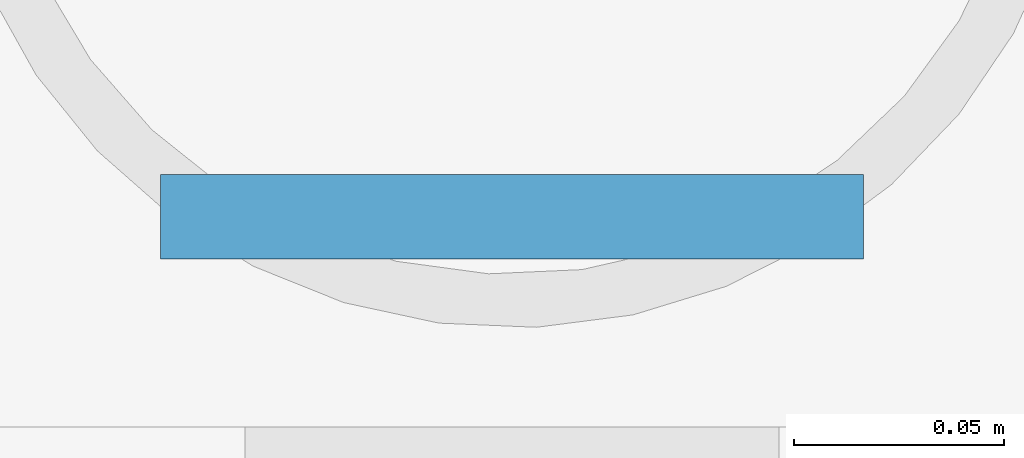
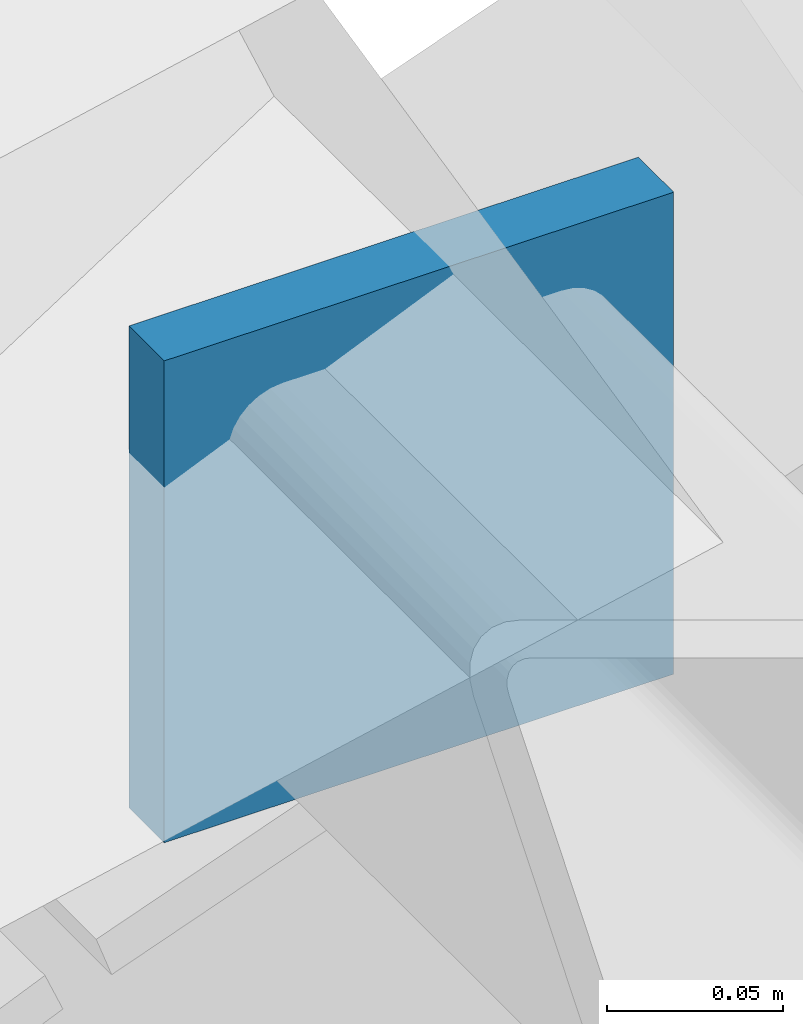
# One storey, part 18 of 22: 1 plate.
"""IFC4 building model written with IfcOpenShell, lengths in metres."""

from ifc_helpers import new_model, si_unit, direction, frame, origin, origin_2d, place, context, subcontext, project, spatial, rectangle, extrude, material, layer, layer_set, type_object, element, save


model = new_model("IFC4")

# Units and contexts
model_context = context("Model", 3, precision=1e-05, world=origin(), true_north=direction((0.0, 1.0)))
body_context = subcontext(model_context, "Body", "Model", "MODEL_VIEW")
ifc_project = project(units=[si_unit("LENGTHUNIT", "METRE"), si_unit("AREAUNIT", "SQUARE_METRE"), si_unit("VOLUMEUNIT", "CUBIC_METRE"), si_unit("PLANEANGLEUNIT", "RADIAN"), si_unit("MASSUNIT", "GRAM", prefix="KILO")], contexts=[model_context])

# Site, building, storey
site_placement = place(None, origin())
site = spatial("IfcSite", under=ifc_project, at=site_placement, CompositionType="ELEMENT")
building_placement = place(site_placement, origin())
building = spatial("IfcBuilding", under=site, at=building_placement, Name="Vireocrest Preparatory School", CompositionType="ELEMENT")
storey_placement = place(building_placement, frame((0.0, 0.0, 25.800048828125)))
storey = spatial("IfcBuildingStorey", under=building, at=storey_placement, Name="RF", CompositionType="ELEMENT", Elevation=25.800048828125)

# Plate
ifc_material = material(Name="Structural steel ASTM A572 Grade 50", Category="steel")
ifc_layer = layer(ifc_material, 0.02001953125)
ifc_layer_set = layer_set([ifc_layer], Name="Structural steel ASTM A572 Grade 50")
plate_type = type_object("IfcPlateType", Name="Hollow Section Steel End Cap Plate 20", PredefinedType="SHEET", material=ifc_layer_set)
plate_placement = place(storey_placement, frame((71.699951171875, 85.68994140625, 1.24853515625), z_axis=(0.0, 0.0, 1.0), x_axis=(1.0, 0.0, 0.0)))
element("IfcPlate", 1, at=plate_placement, inside=storey, type_object=plate_type, Name="Canopy Purlin Cap CP1-7-3", PredefinedType="SHEET", context=body_context, shape_type="SweptSolid", body=[
    extrude(rectangle(XDim=0.1669921875, YDim=0.02001953125, at=origin_2d()), origin(), (0.0, 0.0, 1.0), 0.1669921875),
])

save(model, "model.ifc")
